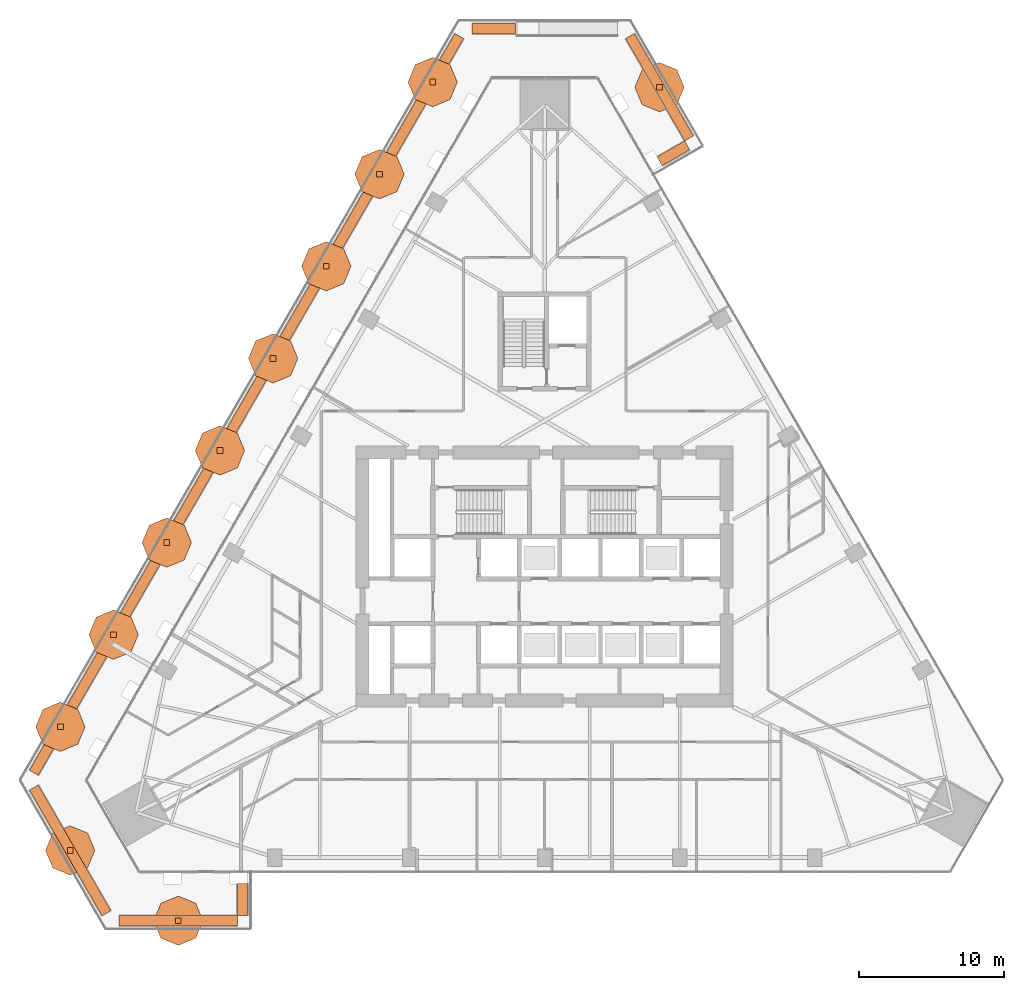
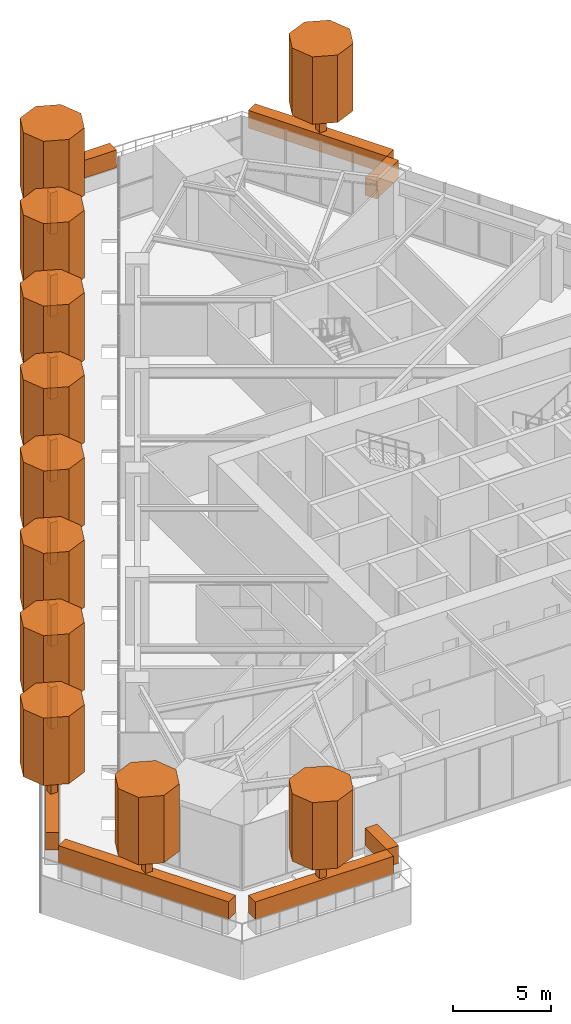
# One storey, part 25 of 25: 29 geographic elements.
"""IFC4 building model written with IfcOpenShell, lengths in metres."""

from ifc_helpers import new_model, si_unit, direction, frame, origin, origin_2d, place, context, subcontext, project, spatial, polyline, rectangle, outline, extrude, material, type_object, element, save


model = new_model("IFC4")

# Units and contexts
model_context = context("Model", 3, precision=1e-05, world=origin(), true_north=direction((0.0, 1.0)))
body_context = subcontext(model_context, "Body", "Model", "MODEL_VIEW")
ifc_project = project(units=[si_unit("LENGTHUNIT", "METRE"), si_unit("AREAUNIT", "SQUARE_METRE"), si_unit("VOLUMEUNIT", "CUBIC_METRE"), si_unit("PLANEANGLEUNIT", "RADIAN"), si_unit("MASSUNIT", "GRAM", prefix="KILO")], contexts=[model_context])

# Site, building, storey
site_placement = place(None, origin())
site = spatial("IfcSite", under=ifc_project, at=site_placement, CompositionType="ELEMENT")
building_placement = place(site_placement, origin())
building = spatial("IfcBuilding", under=site, at=building_placement, Name="Firuza Gate Tower and Library", CompositionType="ELEMENT")
storey_placement = place(building_placement, frame((0.0, 0.0, 119.800048828125)))
storey = spatial("IfcBuildingStorey", under=building, at=storey_placement, Name="L27", CompositionType="ELEMENT", Elevation=119.800048828125)

# Geographic elements
ifc_material_1 = material(Name="Foliage")
geographic_element_type_1 = type_object("IfcGeographicElementType", Name="Planted hedge", PredefinedType="USERDEFINED", material=ifc_material_1)
geographic_element_1_placement = place(storey_placement, frame((83.877685546875, 104.170654296875, 0.89990234375), z_axis=(0.0, 0.0, 1.0), x_axis=(0.866025403784, 0.5, 0.0)))
element("IfcGeographicElement", 1, at=geographic_element_1_placement, inside=storey, type_object=geographic_element_type_1, Name="Planted hedge", ObjectType="HEDGE", PredefinedType="USERDEFINED", context=body_context, shape_type="SweptSolid", body=[
    extrude(rectangle(XDim=2.199951171875, YDim=0.699951171875, at=origin_2d()), origin(), (0.0, 0.0, 1.0), 1.10009765625),
])
geographic_element_2_placement = place(storey_placement, frame((82.9208984375, 108.728271484375, 0.89990234375), z_axis=(0.0, 0.0, 1.0), x_axis=(-0.5, 0.866025403784, 0.0)))
element("IfcGeographicElement", 2, at=geographic_element_2_placement, inside=storey, type_object=geographic_element_type_1, Name="Planted hedge", ObjectType="HEDGE", PredefinedType="USERDEFINED", context=body_context, shape_type="SweptSolid", body=[
    extrude(rectangle(XDim=8.15087890625, YDim=0.699951171875, at=origin_2d()), origin(), (0.0, 0.0, 1.0), 1.10009765625),
])
geographic_element_3_placement = place(storey_placement, frame((71.5, 112.76220703125, 0.89990234375), z_axis=(0.0, 0.0, 1.0), x_axis=(-1.0, 0.0, 0.0)))
element("IfcGeographicElement", 3, at=geographic_element_3_placement, inside=storey, type_object=geographic_element_type_1, Name="Planted hedge", ObjectType="HEDGE", PredefinedType="USERDEFINED", context=body_context, shape_type="SweptSolid", body=[
    extrude(rectangle(XDim=3.018798828125, YDim=0.699951171875, at=origin_2d()), origin(), (0.0, 0.0, 1.0), 1.10009765625),
])
geographic_element_4_placement = place(storey_placement, frame((54.45458984375, 86.86181640625, 0.89990234375), z_axis=(0.0, 0.0, 1.0), x_axis=(-0.5, -0.866025403784, 0.0)))
element("IfcGeographicElement", 4, at=geographic_element_4_placement, inside=storey, type_object=geographic_element_type_1, Name="Planted hedge", ObjectType="HEDGE", PredefinedType="USERDEFINED", context=body_context, shape_type="SweptSolid", body=[
    extrude(rectangle(XDim=58.649169921875, YDim=0.699951171875, at=origin_2d()), origin(), (0.0, 0.0, 1.0), 1.10009765625),
])
geographic_element_5_placement = place(storey_placement, frame((42.297119140625, 56.118896484375, 0.89990234375), z_axis=(0.0, 0.0, 1.0), x_axis=(0.5, -0.866025403784, 0.0)))
element("IfcGeographicElement", 5, at=geographic_element_5_placement, inside=storey, type_object=geographic_element_type_1, Name="Planted hedge", ObjectType="HEDGE", PredefinedType="USERDEFINED", context=body_context, shape_type="SweptSolid", body=[
    extrude(rectangle(XDim=10.018798828125, YDim=0.699951171875, at=origin_2d()), origin(), (0.0, 0.0, 1.0), 1.10009765625),
])
placement_1 = place(storey_placement, frame((49.750732421875, 51.2763671875, 0.89990234375), z_axis=(0.0, 0.0, 1.0), x_axis=(1.0, 0.0, 0.0)))
element("IfcGeographicElement", 6, at=placement_1, inside=storey, type_object=geographic_element_type_1, Name="Planted hedge", ObjectType="HEDGE", PredefinedType="USERDEFINED", context=body_context, shape_type="SweptSolid", body=[
    extrude(rectangle(XDim=8.15087890625, YDim=0.699951171875, at=origin_2d()), origin(), (0.0, 0.0, 1.0), 1.10009765625),
])
geographic_element_7_placement = place(storey_placement, frame((54.17626953125, 52.726318359375, 0.89990234375), z_axis=(0.0, 0.0, 1.0), x_axis=(0.0, 1.0, 0.0)))
element("IfcGeographicElement", 7, at=geographic_element_7_placement, inside=storey, type_object=geographic_element_type_1, Name="Planted hedge", ObjectType="HEDGE", PredefinedType="USERDEFINED", context=body_context, shape_type="SweptSolid", body=[
    extrude(rectangle(XDim=2.199951171875, YDim=0.699951171875, at=origin_2d()), origin(), (0.0, 0.0, 1.0), 1.10009765625),
])
ifc_material_2 = material(Name="Foliage")
geographic_element_type_2 = type_object("IfcGeographicElementType", Name="Planted tree canopy", PredefinedType="USERDEFINED", material=ifc_material_2)
placement_2 = place(storey_placement, frame((0.0, 0.0, 3.5)))
element("IfcGeographicElement", 8, at=placement_2, inside=storey, type_object=geographic_element_type_2, Name="Tree canopy", ObjectType="TREE CANOPY", PredefinedType="USERDEFINED", context=body_context, shape_type="SweptSolid", body=[
    extrude(outline(polyline([(84.620849609375, 108.728271484375), (84.122802734375, 109.930419921875), (82.9208984375, 110.42822265625), (81.71875, 109.930419921875), (81.220703125, 108.728271484375), (81.71875, 107.526123046875), (82.9208984375, 107.0283203125), (84.122802734375, 107.526123046875), (84.620849609375, 108.728271484375)])), origin(), (0.0, 0.0, 1.0), 4.199951171875),
])
element("IfcGeographicElement", 9, at=placement_2, inside=storey, type_object=geographic_element_type_2, Name="Tree canopy", ObjectType="TREE CANOPY", PredefinedType="USERDEFINED", context=body_context, shape_type="SweptSolid", body=[
    extrude(outline(polyline([(68.984130859375, 109.083251953125), (68.486328125, 110.285400390625), (67.2841796875, 110.783203125), (66.08203125, 110.285400390625), (65.584228515625, 109.083251953125), (66.08203125, 107.881103515625), (67.2841796875, 107.38330078125), (68.486328125, 107.881103515625), (68.984130859375, 109.083251953125)])), origin(), (0.0, 0.0, 1.0), 4.199951171875),
])
element("IfcGeographicElement", 10, at=placement_2, inside=storey, type_object=geographic_element_type_2, Name="Tree canopy", ObjectType="TREE CANOPY", PredefinedType="USERDEFINED", context=body_context, shape_type="SweptSolid", body=[
    extrude(outline(polyline([(65.318603515625, 102.734375), (64.820556640625, 103.936279296875), (63.61865234375, 104.434326171875), (62.41650390625, 103.936279296875), (61.91845703125, 102.734375), (62.41650390625, 101.5322265625), (63.61865234375, 101.0341796875), (64.820556640625, 101.5322265625), (65.318603515625, 102.734375)])), origin(), (0.0, 0.0, 1.0), 4.199951171875),
])
element("IfcGeographicElement", 11, at=placement_2, inside=storey, type_object=geographic_element_type_2, Name="Tree canopy", ObjectType="TREE CANOPY", PredefinedType="USERDEFINED", context=body_context, shape_type="SweptSolid", body=[
    extrude(outline(polyline([(61.653076171875, 96.38525390625), (61.155029296875, 97.58740234375), (59.952880859375, 98.085205078125), (58.7509765625, 97.58740234375), (58.2529296875, 96.38525390625), (58.7509765625, 95.183349609375), (59.952880859375, 94.685302734375), (61.155029296875, 95.183349609375), (61.653076171875, 96.38525390625)])), origin(), (0.0, 0.0, 1.0), 4.199951171875),
])
element("IfcGeographicElement", 12, at=placement_2, inside=storey, type_object=geographic_element_type_2, Name="Tree canopy", ObjectType="TREE CANOPY", PredefinedType="USERDEFINED", context=body_context, shape_type="SweptSolid", body=[
    extrude(outline(polyline([(57.9873046875, 90.036376953125), (57.489501953125, 91.238525390625), (56.287353515625, 91.736328125), (55.08544921875, 91.238525390625), (54.58740234375, 90.036376953125), (55.08544921875, 88.834228515625), (56.287353515625, 88.33642578125), (57.489501953125, 88.834228515625), (57.9873046875, 90.036376953125)])), origin(), (0.0, 0.0, 1.0), 4.199951171875),
])
element("IfcGeographicElement", 13, at=placement_2, inside=storey, type_object=geographic_element_type_2, Name="Tree canopy", ObjectType="TREE CANOPY", PredefinedType="USERDEFINED", context=body_context, shape_type="SweptSolid", body=[
    extrude(outline(polyline([(54.32177734375, 83.6875), (53.823974609375, 84.889404296875), (52.621826171875, 85.387451171875), (51.419677734375, 84.889404296875), (50.921875, 83.6875), (51.419677734375, 82.4853515625), (52.621826171875, 81.9873046875), (53.823974609375, 82.4853515625), (54.32177734375, 83.6875)])), origin(), (0.0, 0.0, 1.0), 4.199951171875),
])
element("IfcGeographicElement", 14, at=placement_2, inside=storey, type_object=geographic_element_type_2, Name="Tree canopy", ObjectType="TREE CANOPY", PredefinedType="USERDEFINED", context=body_context, shape_type="SweptSolid", body=[
    extrude(outline(polyline([(50.65625, 77.33837890625), (50.158447265625, 78.54052734375), (48.956298828125, 79.038330078125), (47.754150390625, 78.54052734375), (47.25634765625, 77.33837890625), (47.754150390625, 76.136474609375), (48.956298828125, 75.638427734375), (50.158447265625, 76.136474609375), (50.65625, 77.33837890625)])), origin(), (0.0, 0.0, 1.0), 4.199951171875),
])
element("IfcGeographicElement", 15, at=placement_2, inside=storey, type_object=geographic_element_type_2, Name="Tree canopy", ObjectType="TREE CANOPY", PredefinedType="USERDEFINED", context=body_context, shape_type="SweptSolid", body=[
    extrude(outline(polyline([(46.99072265625, 70.989501953125), (46.49267578125, 72.191650390625), (45.290771484375, 72.689453125), (44.088623046875, 72.191650390625), (43.5908203125, 70.989501953125), (44.088623046875, 69.787353515625), (45.290771484375, 69.28955078125), (46.49267578125, 69.787353515625), (46.99072265625, 70.989501953125)])), origin(), (0.0, 0.0, 1.0), 4.199951171875),
])
element("IfcGeographicElement", 16, at=placement_2, inside=storey, type_object=geographic_element_type_2, Name="Tree canopy", ObjectType="TREE CANOPY", PredefinedType="USERDEFINED", context=body_context, shape_type="SweptSolid", body=[
    extrude(outline(polyline([(43.3251953125, 64.640625), (42.8271484375, 65.842529296875), (41.625244140625, 66.340576171875), (40.423095703125, 65.842529296875), (39.925048828125, 64.640625), (40.423095703125, 63.4384765625), (41.625244140625, 62.9404296875), (42.8271484375, 63.4384765625), (43.3251953125, 64.640625)])), origin(), (0.0, 0.0, 1.0), 4.199951171875),
])
element("IfcGeographicElement", 17, at=placement_2, inside=storey, type_object=geographic_element_type_2, Name="Tree canopy", ObjectType="TREE CANOPY", PredefinedType="USERDEFINED", context=body_context, shape_type="SweptSolid", body=[
    extrude(outline(polyline([(43.9970703125, 56.118896484375), (43.4990234375, 57.321044921875), (42.297119140625, 57.81884765625), (41.094970703125, 57.321044921875), (40.596923828125, 56.118896484375), (41.094970703125, 54.916748046875), (42.297119140625, 54.4189453125), (43.4990234375, 54.916748046875), (43.9970703125, 56.118896484375)])), origin(), (0.0, 0.0, 1.0), 4.199951171875),
])
element("IfcGeographicElement", 18, at=placement_2, inside=storey, type_object=geographic_element_type_2, Name="Tree canopy", ObjectType="TREE CANOPY", PredefinedType="USERDEFINED", context=body_context, shape_type="SweptSolid", body=[
    extrude(outline(polyline([(51.450927734375, 51.2763671875), (50.952880859375, 52.478271484375), (49.750732421875, 52.976318359375), (48.548828125, 52.478271484375), (48.05078125, 51.2763671875), (48.548828125, 50.07421875), (49.750732421875, 49.576171875), (50.952880859375, 50.07421875), (51.450927734375, 51.2763671875)])), origin(), (0.0, 0.0, 1.0), 4.199951171875),
])
ifc_material_3 = material(Name="Timber", Category="wood")
geographic_element_type_3 = type_object("IfcGeographicElementType", Name="Planted tree trunk", PredefinedType="USERDEFINED", material=ifc_material_3)
for number, where, z_axis, x_axis, name in (
    (19, (82.9208984375, 108.728271484375, 0.89990234375), (0.0, 0.0, 1.0), (1.0, 0.0, 0.0), "Tree trunk"),
    (20, (67.2841796875, 109.083251953125, 0.89990234375), (0.0, 0.0, 1.0), (1.0, 0.0, 0.0), "Tree trunk"),
    (21, (63.61865234375, 102.734375, 0.89990234375), (0.0, 0.0, 1.0), (1.0, 0.0, 0.0), "Tree trunk"),
    (22, (59.952880859375, 96.38525390625, 0.89990234375), (0.0, 0.0, 1.0), (1.0, 0.0, 0.0), "Tree trunk"),
    (23, (56.287353515625, 90.036376953125, 0.89990234375), (0.0, 0.0, 1.0), (1.0, 0.0, 0.0), "Tree trunk"),
    (24, (52.621826171875, 83.6875, 0.89990234375), (0.0, 0.0, 1.0), (1.0, 0.0, 0.0), "Tree trunk"),
    (25, (48.956298828125, 77.33837890625, 0.89990234375), (0.0, 0.0, 1.0), (1.0, 0.0, 0.0), "Tree trunk"),
    (26, (45.290771484375, 70.989501953125, 0.89990234375), (0.0, 0.0, 1.0), (1.0, 0.0, 0.0), "Tree trunk"),
    (27, (41.625244140625, 64.640625, 0.89990234375), (0.0, 0.0, 1.0), (1.0, 0.0, 0.0), "Tree trunk"),
    (28, (42.297119140625, 56.118896484375, 0.89990234375), (0.0, 0.0, 1.0), (1.0, 0.0, 0.0), "Tree trunk"),
):
    element("IfcGeographicElement", number, at=place(storey_placement, frame(where, z_axis=z_axis, x_axis=x_axis)), inside=storey, type_object=geographic_element_type_3, Name=name, ObjectType="TREE TRUNK", PredefinedType="USERDEFINED", context=body_context, shape_type="SweptSolid", body=[
        extrude(rectangle(XDim=0.39990234375, YDim=0.39990234375, at=origin_2d()), origin(), (0.0, 0.0, 1.0), 2.60009765625),
    ])
element("IfcGeographicElement", 29, at=placement_1, inside=storey, type_object=geographic_element_type_3, Name="Tree trunk", ObjectType="TREE TRUNK", PredefinedType="USERDEFINED", context=body_context, shape_type="SweptSolid", body=[
    extrude(rectangle(XDim=0.39990234375, YDim=0.39990234375, at=origin_2d()), origin(), (0.0, 0.0, 1.0), 2.60009765625),
])

save(model, "model.ifc")
